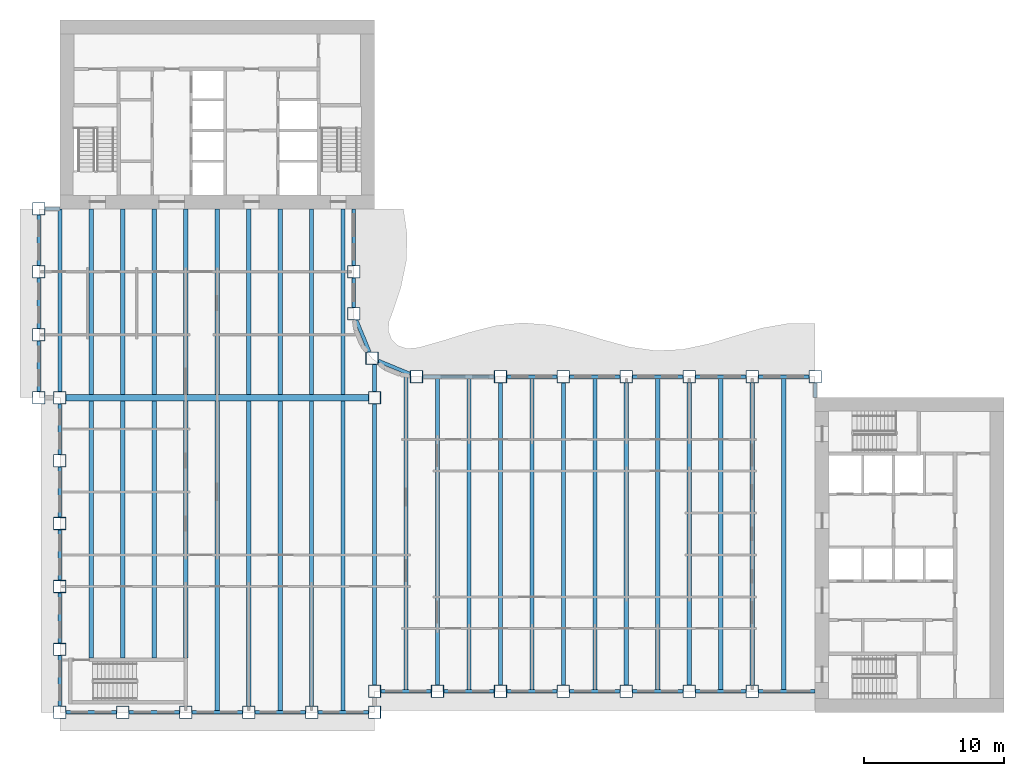
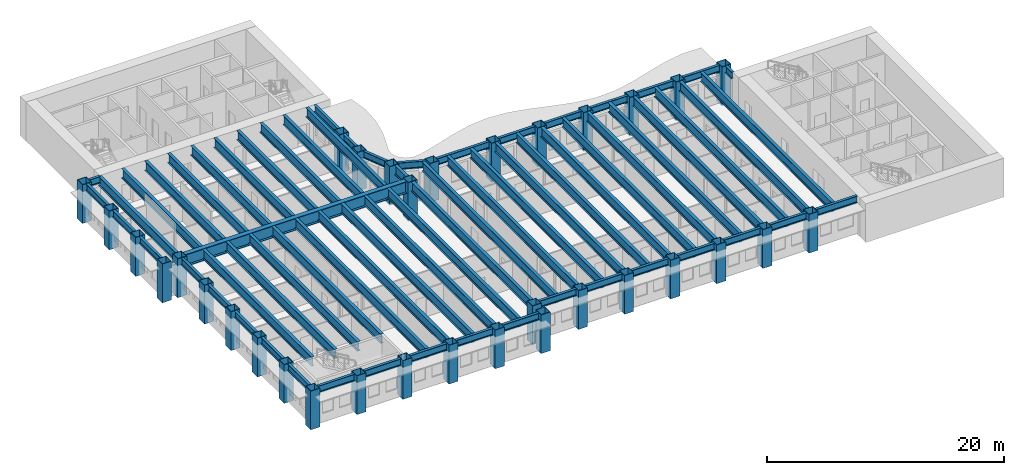
# One storey, part 1 of 16: 67 beams, 33 columns.
"""IFC4 building model written with IfcOpenShell, lengths in metres."""

from ifc_helpers import new_model, si_unit, direction, frame, origin, origin_2d, place, context, subcontext, project, spatial, hollow_rectangle, i_section, extrude, material, material_profile, profile_set, type_object, element, save


model = new_model("IFC4")

# Units and contexts
model_context = context("Model", 3, precision=1e-05, world=origin(), true_north=direction((0.0, 1.0)))
body_context = subcontext(model_context, "Body", "Model", "MODEL_VIEW")
ifc_project = project(units=[si_unit("LENGTHUNIT", "METRE"), si_unit("AREAUNIT", "SQUARE_METRE"), si_unit("VOLUMEUNIT", "CUBIC_METRE"), si_unit("PLANEANGLEUNIT", "RADIAN"), si_unit("MASSUNIT", "GRAM", prefix="KILO")], contexts=[model_context])

# Site, building, storey
site_placement = place(None, origin())
site = spatial("IfcSite", under=ifc_project, at=site_placement, CompositionType="ELEMENT")
building_placement = place(site_placement, origin())
building = spatial("IfcBuilding", under=site, at=building_placement, Name="Sennacour Bend Tower", CompositionType="ELEMENT")
storey_placement = place(building_placement, frame((0.0, 0.0, 159.0)))
storey = spatial("IfcBuildingStorey", under=building, at=storey_placement, Name="L36", CompositionType="ELEMENT", Elevation=159.0)

# Columns
ifc_material_1 = material(Name="Steel ASTM A572 Grade 50", Category="steel")
ifc_material_profile_1 = material_profile(ifc_material_1, hollow_rectangle(XDim=0.89990234375, YDim=0.89990234375, WallThickness=0.044921875, at=origin_2d()), Name="Steel ASTM A572 Grade 50", Category="steel")
ifc_profile_set_1 = profile_set([ifc_material_profile_1], Name="Steel ASTM A572 Grade 50")
column_type = type_object("IfcColumnType", Name="Box column 900", PredefinedType="COLUMN", material=ifc_profile_set_1)
for number, where, z_axis, x_axis, name in (
    (1, (-1.5, 22.5, -0.14990234375), (0.0, 0.0, 1.0), (1.0, 0.0, 0.0), "Perimeter column C3 L36-001"),
    (2, (-1.5, 27.0, -0.14990234375), (0.0, 0.0, 1.0), (1.0, 0.0, 0.0), "Perimeter column C3 L36-002"),
    (3, (-1.5, 31.5, -0.14990234375), (0.0, 0.0, 1.0), (1.0, 0.0, 0.0), "Perimeter column C3 L36-003"),
    (4, (-1.5, 36.0, -0.14990234375), (0.0, 0.0, 1.0), (1.0, 0.0, 0.0), "Perimeter column C3 L36-004"),
    (5, (0.0, 0.0, -0.14990234375), (0.0, 0.0, 1.0), (1.0, 0.0, 0.0), "Perimeter column C3 L36-005"),
    (6, (0.0, 4.5, -0.14990234375), (0.0, 0.0, 1.0), (1.0, 0.0, 0.0), "Perimeter column C3 L36-006"),
    (7, (0.0, 9.0, -0.14990234375), (0.0, 0.0, 1.0), (1.0, 0.0, 0.0), "Perimeter column C3 L36-007"),
    (8, (0.0, 13.5, -0.14990234375), (0.0, 0.0, 1.0), (1.0, 0.0, 0.0), "Perimeter column C3 L36-008"),
    (9, (0.0, 18.0, -0.14990234375), (0.0, 0.0, 1.0), (1.0, 0.0, 0.0), "Perimeter column C3 L36-009"),
    (10, (0.0, 22.5, -0.14990234375), (0.0, 0.0, 1.0), (1.0, 0.0, 0.0), "Perimeter column C3 L36-010"),
    (11, (4.5, 0.0, -0.14990234375), (0.0, 0.0, 1.0), (1.0, 0.0, 0.0), "Perimeter column C3 L36-011"),
    (12, (9.0, 0.0, -0.14990234375), (0.0, 0.0, 1.0), (1.0, 0.0, 0.0), "Perimeter column C3 L36-012"),
    (13, (13.5, 0.0, -0.14990234375), (0.0, 0.0, 1.0), (1.0, 0.0, 0.0), "Perimeter column C3 L36-013"),
    (14, (18.0, 0.0, -0.14990234375), (0.0, 0.0, 1.0), (1.0, 0.0, 0.0), "Perimeter column C3 L36-014"),
    (15, (21.0, 28.5, -0.14990234375), (0.0, 0.0, 1.0), (1.0, 0.0, 0.0), "Perimeter column C3 L36-015"),
    (16, (21.0, 31.5, -0.14990234375), (0.0, 0.0, 1.0), (1.0, 0.0, 0.0), "Perimeter column C3 L36-016"),
    (17, (22.318115234375, 25.318115234375, -0.14990234375), (0.0, 0.0, 1.0), (1.0, 0.0, 0.0), "Perimeter column C3 L36-017"),
    (18, (22.5, 0.0, -0.14990234375), (0.0, 0.0, 1.0), (1.0, 0.0, 0.0), "Perimeter column C3 L36-018"),
    (19, (22.5, 1.5, -0.14990234375), (0.0, 0.0, 1.0), (1.0, 0.0, 0.0), "Perimeter column C3 L36-019"),
    (20, (22.5, 22.5, -0.14990234375), (0.0, 0.0, 1.0), (1.0, 0.0, 0.0), "Knuckle column C3 L36-020"),
    (21, (25.5, 24.0, -0.14990234375), (0.0, 0.0, 1.0), (1.0, 0.0, 0.0), "Perimeter column C3 L36-021"),
    (22, (27.0, 1.5, -0.14990234375), (0.0, 0.0, 1.0), (1.0, 0.0, 0.0), "Perimeter column C3 L36-022"),
    (23, (31.5, 1.5, -0.14990234375), (0.0, 0.0, 1.0), (1.0, 0.0, 0.0), "Perimeter column C3 L36-023"),
    (24, (31.5, 24.0, -0.14990234375), (0.0, 0.0, 1.0), (1.0, 0.0, 0.0), "Perimeter column C3 L36-024"),
    (25, (36.0, 1.5, -0.14990234375), (0.0, 0.0, 1.0), (1.0, 0.0, 0.0), "Perimeter column C3 L36-025"),
    (26, (36.0, 24.0, -0.14990234375), (0.0, 0.0, 1.0), (1.0, 0.0, 0.0), "Perimeter column C3 L36-026"),
    (27, (40.5, 1.5, -0.14990234375), (0.0, 0.0, 1.0), (1.0, 0.0, 0.0), "Perimeter column C3 L36-027"),
    (28, (40.5, 24.0, -0.14990234375), (0.0, 0.0, 1.0), (1.0, 0.0, 0.0), "Perimeter column C3 L36-028"),
    (29, (45.0, 1.5, -0.14990234375), (0.0, 0.0, 1.0), (1.0, 0.0, 0.0), "Perimeter column C3 L36-029"),
    (30, (45.0, 24.0, -0.14990234375), (0.0, 0.0, 1.0), (1.0, 0.0, 0.0), "Perimeter column C3 L36-030"),
    (31, (49.5, 1.5, -0.14990234375), (0.0, 0.0, 1.0), (1.0, 0.0, 0.0), "Perimeter column C3 L36-031"),
    (32, (49.5, 24.0, -0.14990234375), (0.0, 0.0, 1.0), (1.0, 0.0, 0.0), "Perimeter column C3 L36-032"),
    (33, (54.0, 24.0, -0.14990234375), (0.0, 0.0, 1.0), (1.0, 0.0, 0.0), "Perimeter column C3 L36-033"),
):
    element("IfcColumn", number, at=place(storey_placement, frame(where, z_axis=z_axis, x_axis=x_axis)), inside=storey, type_object=column_type, Name=name, PredefinedType="COLUMN", context=body_context, shape_type="SweptSolid", body=[
        extrude(hollow_rectangle(XDim=0.89990234375, YDim=0.89990234375, WallThickness=0.044921875, at=origin_2d()), origin(), (0.0, 0.0, 1.0), 4.0),
    ])

# Beams
ifc_material_2 = material(Name="Steel ASTM A992 Grade 50", Category="steel")
ifc_material_profile_2 = material_profile(ifc_material_2, i_section(OverallWidth=0.300048828125, OverallDepth=0.97998046875, WebThickness=0.0166015625, FlangeThickness=0.026123046875, FilletRadius=0.02978515625, at=origin_2d()), Name="Steel ASTM A992 Grade 50", Category="steel")
ifc_profile_set_2 = profile_set([ifc_material_profile_2], Name="Steel ASTM A992 Grade 50")
beam_type_1 = type_object("IfcBeamType", Name="Floor beam W1000X249", PredefinedType="BEAM", material=ifc_profile_set_2)
beam_1_placement = place(storey_placement, frame((0.0, 22.949951171875, 3.360107421875), z_axis=(0.0, 1.0, 0.0), x_axis=(-1.0, 0.0, 0.0)))
element("IfcBeam", 34, at=beam_1_placement, inside=storey, type_object=beam_type_1, Name="Floor beam FBM2 L37-001", PredefinedType="BEAM", context=body_context, shape_type="SweptSolid", body=[
    extrude(i_section(OverallWidth=0.300048828125, OverallDepth=0.97998046875, WebThickness=0.0166015625, FlangeThickness=0.026123046875, FilletRadius=0.02978515625, at=origin_2d()), origin(), (0.0, 0.0, 1.0), 13.050048828125),
])
beam_2_placement = place(storey_placement, frame((2.25, 3.875, 3.360107421875), z_axis=(0.0, 1.0, 0.0), x_axis=(-1.0, 0.0, 0.0)))
element("IfcBeam", 35, at=beam_2_placement, inside=storey, type_object=beam_type_1, Name="Floor beam FBM2 L37-002", PredefinedType="BEAM", context=body_context, shape_type="SweptSolid", body=[
    extrude(i_section(OverallWidth=0.300048828125, OverallDepth=0.97998046875, WebThickness=0.0166015625, FlangeThickness=0.026123046875, FilletRadius=0.02978515625, at=origin_2d()), origin(), (0.0, 0.0, 1.0), 18.39990234375),
])
beam_3_placement = place(storey_placement, frame((2.25, 22.72509765625, 3.360107421875), z_axis=(0.0, 1.0, 0.0), x_axis=(-1.0, 0.0, 0.0)))
element("IfcBeam", 36, at=beam_3_placement, inside=storey, type_object=beam_type_1, Name="Floor beam FBM2 L37-003", PredefinedType="BEAM", context=body_context, shape_type="SweptSolid", body=[
    extrude(i_section(OverallWidth=0.300048828125, OverallDepth=0.97998046875, WebThickness=0.0166015625, FlangeThickness=0.026123046875, FilletRadius=0.02978515625, at=origin_2d()), origin(), (0.0, 0.0, 1.0), 13.27490234375),
])
beam_4_placement = place(storey_placement, frame((4.5, 3.875, 3.360107421875), z_axis=(0.0, 1.0, 0.0), x_axis=(-1.0, 0.0, 0.0)))
element("IfcBeam", 37, at=beam_4_placement, inside=storey, type_object=beam_type_1, Name="Floor beam FBM2 L37-004", PredefinedType="BEAM", context=body_context, shape_type="SweptSolid", body=[
    extrude(i_section(OverallWidth=0.300048828125, OverallDepth=0.97998046875, WebThickness=0.0166015625, FlangeThickness=0.026123046875, FilletRadius=0.02978515625, at=origin_2d()), origin(), (0.0, 0.0, 1.0), 18.39990234375),
])
beam_5_placement = place(storey_placement, frame((4.5, 22.72509765625, 3.360107421875), z_axis=(0.0, 1.0, 0.0), x_axis=(-1.0, 0.0, 0.0)))
element("IfcBeam", 38, at=beam_5_placement, inside=storey, type_object=beam_type_1, Name="Floor beam FBM2 L37-005", PredefinedType="BEAM", context=body_context, shape_type="SweptSolid", body=[
    extrude(i_section(OverallWidth=0.300048828125, OverallDepth=0.97998046875, WebThickness=0.0166015625, FlangeThickness=0.026123046875, FilletRadius=0.02978515625, at=origin_2d()), origin(), (0.0, 0.0, 1.0), 13.27490234375),
])
beam_6_placement = place(storey_placement, frame((6.75, 3.875, 3.360107421875), z_axis=(0.0, 1.0, 0.0), x_axis=(-1.0, 0.0, 0.0)))
element("IfcBeam", 39, at=beam_6_placement, inside=storey, type_object=beam_type_1, Name="Floor beam FBM2 L37-006", PredefinedType="BEAM", context=body_context, shape_type="SweptSolid", body=[
    extrude(i_section(OverallWidth=0.300048828125, OverallDepth=0.97998046875, WebThickness=0.0166015625, FlangeThickness=0.026123046875, FilletRadius=0.02978515625, at=origin_2d()), origin(), (0.0, 0.0, 1.0), 18.39990234375),
])
beam_7_placement = place(storey_placement, frame((6.75, 22.72509765625, 3.360107421875), z_axis=(0.0, 1.0, 0.0), x_axis=(-1.0, 0.0, 0.0)))
element("IfcBeam", 40, at=beam_7_placement, inside=storey, type_object=beam_type_1, Name="Floor beam FBM2 L37-007", PredefinedType="BEAM", context=body_context, shape_type="SweptSolid", body=[
    extrude(i_section(OverallWidth=0.300048828125, OverallDepth=0.97998046875, WebThickness=0.0166015625, FlangeThickness=0.026123046875, FilletRadius=0.02978515625, at=origin_2d()), origin(), (0.0, 0.0, 1.0), 13.27490234375),
])
beam_8_placement = place(storey_placement, frame((9.0, 3.875, 3.360107421875), z_axis=(0.0, 1.0, 0.0), x_axis=(-1.0, 0.0, 0.0)))
element("IfcBeam", 41, at=beam_8_placement, inside=storey, type_object=beam_type_1, Name="Floor beam FBM2 L37-008", PredefinedType="BEAM", context=body_context, shape_type="SweptSolid", body=[
    extrude(i_section(OverallWidth=0.300048828125, OverallDepth=0.97998046875, WebThickness=0.0166015625, FlangeThickness=0.026123046875, FilletRadius=0.02978515625, at=origin_2d()), origin(), (0.0, 0.0, 1.0), 18.39990234375),
])
beam_9_placement = place(storey_placement, frame((9.0, 22.72509765625, 3.360107421875), z_axis=(0.0, 1.0, 0.0), x_axis=(-1.0, 0.0, 0.0)))
element("IfcBeam", 42, at=beam_9_placement, inside=storey, type_object=beam_type_1, Name="Floor beam FBM2 L37-009", PredefinedType="BEAM", context=body_context, shape_type="SweptSolid", body=[
    extrude(i_section(OverallWidth=0.300048828125, OverallDepth=0.97998046875, WebThickness=0.0166015625, FlangeThickness=0.026123046875, FilletRadius=0.02978515625, at=origin_2d()), origin(), (0.0, 0.0, 1.0), 13.27490234375),
])
beam_10_placement = place(storey_placement, frame((11.25, 0.126953125, 3.360107421875), z_axis=(0.0, 1.0, 0.0), x_axis=(-1.0, 0.0, 0.0)))
element("IfcBeam", 43, at=beam_10_placement, inside=storey, type_object=beam_type_1, Name="Floor beam FBM2 L37-010", PredefinedType="BEAM", context=body_context, shape_type="SweptSolid", body=[
    extrude(i_section(OverallWidth=0.300048828125, OverallDepth=0.97998046875, WebThickness=0.0166015625, FlangeThickness=0.026123046875, FilletRadius=0.02978515625, at=origin_2d()), origin(), (0.0, 0.0, 1.0), 22.14794921875),
])
beam_11_placement = place(storey_placement, frame((11.25, 22.72509765625, 3.360107421875), z_axis=(0.0, 1.0, 0.0), x_axis=(-1.0, 0.0, 0.0)))
element("IfcBeam", 44, at=beam_11_placement, inside=storey, type_object=beam_type_1, Name="Floor beam FBM2 L37-011", PredefinedType="BEAM", context=body_context, shape_type="SweptSolid", body=[
    extrude(i_section(OverallWidth=0.300048828125, OverallDepth=0.97998046875, WebThickness=0.0166015625, FlangeThickness=0.026123046875, FilletRadius=0.02978515625, at=origin_2d()), origin(), (0.0, 0.0, 1.0), 13.27490234375),
])
beam_12_placement = place(storey_placement, frame((13.5, 0.449951171875, 3.360107421875), z_axis=(0.0, 1.0, 0.0), x_axis=(-1.0, 0.0, 0.0)))
element("IfcBeam", 45, at=beam_12_placement, inside=storey, type_object=beam_type_1, Name="Floor beam FBM2 L37-012", PredefinedType="BEAM", context=body_context, shape_type="SweptSolid", body=[
    extrude(i_section(OverallWidth=0.300048828125, OverallDepth=0.97998046875, WebThickness=0.0166015625, FlangeThickness=0.026123046875, FilletRadius=0.02978515625, at=origin_2d()), origin(), (0.0, 0.0, 1.0), 21.824951171875),
])
beam_13_placement = place(storey_placement, frame((13.5, 22.72509765625, 3.360107421875), z_axis=(0.0, 1.0, 0.0), x_axis=(-1.0, 0.0, 0.0)))
element("IfcBeam", 46, at=beam_13_placement, inside=storey, type_object=beam_type_1, Name="Floor beam FBM2 L37-013", PredefinedType="BEAM", context=body_context, shape_type="SweptSolid", body=[
    extrude(i_section(OverallWidth=0.300048828125, OverallDepth=0.97998046875, WebThickness=0.0166015625, FlangeThickness=0.026123046875, FilletRadius=0.02978515625, at=origin_2d()), origin(), (0.0, 0.0, 1.0), 13.27490234375),
])
beam_14_placement = place(storey_placement, frame((15.75, 0.126953125, 3.360107421875), z_axis=(0.0, 1.0, 0.0), x_axis=(-1.0, 0.0, 0.0)))
element("IfcBeam", 47, at=beam_14_placement, inside=storey, type_object=beam_type_1, Name="Floor beam FBM2 L37-014", PredefinedType="BEAM", context=body_context, shape_type="SweptSolid", body=[
    extrude(i_section(OverallWidth=0.300048828125, OverallDepth=0.97998046875, WebThickness=0.0166015625, FlangeThickness=0.026123046875, FilletRadius=0.02978515625, at=origin_2d()), origin(), (0.0, 0.0, 1.0), 22.14794921875),
])
beam_15_placement = place(storey_placement, frame((15.75, 22.72509765625, 3.360107421875), z_axis=(0.0, 1.0, 0.0), x_axis=(-1.0, 0.0, 0.0)))
element("IfcBeam", 48, at=beam_15_placement, inside=storey, type_object=beam_type_1, Name="Floor beam FBM2 L37-015", PredefinedType="BEAM", context=body_context, shape_type="SweptSolid", body=[
    extrude(i_section(OverallWidth=0.300048828125, OverallDepth=0.97998046875, WebThickness=0.0166015625, FlangeThickness=0.026123046875, FilletRadius=0.02978515625, at=origin_2d()), origin(), (0.0, 0.0, 1.0), 13.27490234375),
])
beam_16_placement = place(storey_placement, frame((18.0, 0.449951171875, 3.360107421875), z_axis=(0.0, 1.0, 0.0), x_axis=(-1.0, 0.0, 0.0)))
element("IfcBeam", 49, at=beam_16_placement, inside=storey, type_object=beam_type_1, Name="Floor beam FBM2 L37-016", PredefinedType="BEAM", context=body_context, shape_type="SweptSolid", body=[
    extrude(i_section(OverallWidth=0.300048828125, OverallDepth=0.97998046875, WebThickness=0.0166015625, FlangeThickness=0.026123046875, FilletRadius=0.02978515625, at=origin_2d()), origin(), (0.0, 0.0, 1.0), 21.824951171875),
])
beam_17_placement = place(storey_placement, frame((18.0, 22.72509765625, 3.360107421875), z_axis=(0.0, 1.0, 0.0), x_axis=(-1.0, 0.0, 0.0)))
element("IfcBeam", 50, at=beam_17_placement, inside=storey, type_object=beam_type_1, Name="Floor beam FBM2 L37-017", PredefinedType="BEAM", context=body_context, shape_type="SweptSolid", body=[
    extrude(i_section(OverallWidth=0.300048828125, OverallDepth=0.97998046875, WebThickness=0.0166015625, FlangeThickness=0.026123046875, FilletRadius=0.02978515625, at=origin_2d()), origin(), (0.0, 0.0, 1.0), 13.27490234375),
])
beam_18_placement = place(storey_placement, frame((20.25, 0.126953125, 3.360107421875), z_axis=(0.0, 1.0, 0.0), x_axis=(-1.0, 0.0, 0.0)))
element("IfcBeam", 51, at=beam_18_placement, inside=storey, type_object=beam_type_1, Name="Floor beam FBM2 L37-018", PredefinedType="BEAM", context=body_context, shape_type="SweptSolid", body=[
    extrude(i_section(OverallWidth=0.300048828125, OverallDepth=0.97998046875, WebThickness=0.0166015625, FlangeThickness=0.026123046875, FilletRadius=0.02978515625, at=origin_2d()), origin(), (0.0, 0.0, 1.0), 22.14794921875),
])
beam_19_placement = place(storey_placement, frame((20.25, 22.72509765625, 3.360107421875), z_axis=(0.0, 1.0, 0.0), x_axis=(-1.0, 0.0, 0.0)))
element("IfcBeam", 52, at=beam_19_placement, inside=storey, type_object=beam_type_1, Name="Floor beam FBM2 L37-019", PredefinedType="BEAM", context=body_context, shape_type="SweptSolid", body=[
    extrude(i_section(OverallWidth=0.300048828125, OverallDepth=0.97998046875, WebThickness=0.0166015625, FlangeThickness=0.026123046875, FilletRadius=0.02978515625, at=origin_2d()), origin(), (0.0, 0.0, 1.0), 13.27490234375),
])
beam_20_placement = place(storey_placement, frame((22.5, 1.949951171875, 3.360107421875), z_axis=(0.0, 1.0, 0.0), x_axis=(-1.0, 0.0, 0.0)))
element("IfcBeam", 53, at=beam_20_placement, inside=storey, type_object=beam_type_1, Name="Floor beam FBM2 L37-020", PredefinedType="BEAM", context=body_context, shape_type="SweptSolid", body=[
    extrude(i_section(OverallWidth=0.300048828125, OverallDepth=0.97998046875, WebThickness=0.0166015625, FlangeThickness=0.026123046875, FilletRadius=0.02978515625, at=origin_2d()), origin(), (0.0, 0.0, 1.0), 20.10009765625),
])
beam_21_placement = place(storey_placement, frame((22.5, 22.949951171875, 3.360107421875), z_axis=(0.0, 1.0, 0.0), x_axis=(-1.0, 0.0, 0.0)))
element("IfcBeam", 54, at=beam_21_placement, inside=storey, type_object=beam_type_1, Name="Floor beam FBM2 L37-021", PredefinedType="BEAM", context=body_context, shape_type="SweptSolid", body=[
    extrude(i_section(OverallWidth=0.300048828125, OverallDepth=0.97998046875, WebThickness=0.0166015625, FlangeThickness=0.026123046875, FilletRadius=0.02978515625, at=origin_2d()), origin(), (0.0, 0.0, 1.0), 1.91796875),
])
beam_22_placement = place(storey_placement, frame((24.75, 1.626953125, 3.360107421875), z_axis=(0.0, 1.0, 0.0), x_axis=(-1.0, 0.0, 0.0)))
element("IfcBeam", 55, at=beam_22_placement, inside=storey, type_object=beam_type_1, Name="Floor beam FBM2 L37-022", PredefinedType="BEAM", context=body_context, shape_type="SweptSolid", body=[
    extrude(i_section(OverallWidth=0.300048828125, OverallDepth=0.97998046875, WebThickness=0.0166015625, FlangeThickness=0.026123046875, FilletRadius=0.02978515625, at=origin_2d()), origin(), (0.0, 0.0, 1.0), 22.546142578125),
])
beam_23_placement = place(storey_placement, frame((27.0, 1.949951171875, 3.360107421875), z_axis=(0.0, 1.0, 0.0), x_axis=(-1.0, 0.0, 0.0)))
element("IfcBeam", 56, at=beam_23_placement, inside=storey, type_object=beam_type_1, Name="Floor beam FBM2 L37-023", PredefinedType="BEAM", context=body_context, shape_type="SweptSolid", body=[
    extrude(i_section(OverallWidth=0.300048828125, OverallDepth=0.97998046875, WebThickness=0.0166015625, FlangeThickness=0.026123046875, FilletRadius=0.02978515625, at=origin_2d()), origin(), (0.0, 0.0, 1.0), 21.923095703125),
])
beam_24_placement = place(storey_placement, frame((29.25, 1.626953125, 3.360107421875), z_axis=(0.0, 1.0, 0.0), x_axis=(-1.0, 0.0, 0.0)))
element("IfcBeam", 57, at=beam_24_placement, inside=storey, type_object=beam_type_1, Name="Floor beam FBM2 L37-024", PredefinedType="BEAM", context=body_context, shape_type="SweptSolid", body=[
    extrude(i_section(OverallWidth=0.300048828125, OverallDepth=0.97998046875, WebThickness=0.0166015625, FlangeThickness=0.026123046875, FilletRadius=0.02978515625, at=origin_2d()), origin(), (0.0, 0.0, 1.0), 22.24609375),
])
beam_25_placement = place(storey_placement, frame((31.5, 1.949951171875, 3.360107421875), z_axis=(0.0, 1.0, 0.0), x_axis=(-1.0, 0.0, 0.0)))
element("IfcBeam", 58, at=beam_25_placement, inside=storey, type_object=beam_type_1, Name="Floor beam FBM2 L37-025", PredefinedType="BEAM", context=body_context, shape_type="SweptSolid", body=[
    extrude(i_section(OverallWidth=0.300048828125, OverallDepth=0.97998046875, WebThickness=0.0166015625, FlangeThickness=0.026123046875, FilletRadius=0.02978515625, at=origin_2d()), origin(), (0.0, 0.0, 1.0), 21.60009765625),
])
beam_26_placement = place(storey_placement, frame((33.75, 1.626953125, 3.360107421875), z_axis=(0.0, 1.0, 0.0), x_axis=(-1.0, 0.0, 0.0)))
element("IfcBeam", 59, at=beam_26_placement, inside=storey, type_object=beam_type_1, Name="Floor beam FBM2 L37-026", PredefinedType="BEAM", context=body_context, shape_type="SweptSolid", body=[
    extrude(i_section(OverallWidth=0.300048828125, OverallDepth=0.97998046875, WebThickness=0.0166015625, FlangeThickness=0.026123046875, FilletRadius=0.02978515625, at=origin_2d()), origin(), (0.0, 0.0, 1.0), 22.24609375),
])
beam_27_placement = place(storey_placement, frame((36.0, 1.949951171875, 3.360107421875), z_axis=(0.0, 1.0, 0.0), x_axis=(-1.0, 0.0, 0.0)))
element("IfcBeam", 60, at=beam_27_placement, inside=storey, type_object=beam_type_1, Name="Floor beam FBM2 L37-027", PredefinedType="BEAM", context=body_context, shape_type="SweptSolid", body=[
    extrude(i_section(OverallWidth=0.300048828125, OverallDepth=0.97998046875, WebThickness=0.0166015625, FlangeThickness=0.026123046875, FilletRadius=0.02978515625, at=origin_2d()), origin(), (0.0, 0.0, 1.0), 21.60009765625),
])
beam_28_placement = place(storey_placement, frame((38.25, 1.626953125, 3.360107421875), z_axis=(0.0, 1.0, 0.0), x_axis=(-1.0, 0.0, 0.0)))
element("IfcBeam", 61, at=beam_28_placement, inside=storey, type_object=beam_type_1, Name="Floor beam FBM2 L37-028", PredefinedType="BEAM", context=body_context, shape_type="SweptSolid", body=[
    extrude(i_section(OverallWidth=0.300048828125, OverallDepth=0.97998046875, WebThickness=0.0166015625, FlangeThickness=0.026123046875, FilletRadius=0.02978515625, at=origin_2d()), origin(), (0.0, 0.0, 1.0), 22.24609375),
])
beam_29_placement = place(storey_placement, frame((40.5, 1.949951171875, 3.360107421875), z_axis=(0.0, 1.0, 0.0), x_axis=(-1.0, 0.0, 0.0)))
element("IfcBeam", 62, at=beam_29_placement, inside=storey, type_object=beam_type_1, Name="Floor beam FBM2 L37-029", PredefinedType="BEAM", context=body_context, shape_type="SweptSolid", body=[
    extrude(i_section(OverallWidth=0.300048828125, OverallDepth=0.97998046875, WebThickness=0.0166015625, FlangeThickness=0.026123046875, FilletRadius=0.02978515625, at=origin_2d()), origin(), (0.0, 0.0, 1.0), 21.60009765625),
])
beam_30_placement = place(storey_placement, frame((42.75, 1.626953125, 3.360107421875), z_axis=(0.0, 1.0, 0.0), x_axis=(-1.0, 0.0, 0.0)))
element("IfcBeam", 63, at=beam_30_placement, inside=storey, type_object=beam_type_1, Name="Floor beam FBM2 L37-030", PredefinedType="BEAM", context=body_context, shape_type="SweptSolid", body=[
    extrude(i_section(OverallWidth=0.300048828125, OverallDepth=0.97998046875, WebThickness=0.0166015625, FlangeThickness=0.026123046875, FilletRadius=0.02978515625, at=origin_2d()), origin(), (0.0, 0.0, 1.0), 22.24609375),
])
beam_31_placement = place(storey_placement, frame((45.0, 1.949951171875, 3.360107421875), z_axis=(0.0, 1.0, 0.0), x_axis=(-1.0, 0.0, 0.0)))
element("IfcBeam", 64, at=beam_31_placement, inside=storey, type_object=beam_type_1, Name="Floor beam FBM2 L37-031", PredefinedType="BEAM", context=body_context, shape_type="SweptSolid", body=[
    extrude(i_section(OverallWidth=0.300048828125, OverallDepth=0.97998046875, WebThickness=0.0166015625, FlangeThickness=0.026123046875, FilletRadius=0.02978515625, at=origin_2d()), origin(), (0.0, 0.0, 1.0), 21.60009765625),
])
beam_32_placement = place(storey_placement, frame((47.25, 1.626953125, 3.360107421875), z_axis=(0.0, 1.0, 0.0), x_axis=(-1.0, 0.0, 0.0)))
element("IfcBeam", 65, at=beam_32_placement, inside=storey, type_object=beam_type_1, Name="Floor beam FBM2 L37-032", PredefinedType="BEAM", context=body_context, shape_type="SweptSolid", body=[
    extrude(i_section(OverallWidth=0.300048828125, OverallDepth=0.97998046875, WebThickness=0.0166015625, FlangeThickness=0.026123046875, FilletRadius=0.02978515625, at=origin_2d()), origin(), (0.0, 0.0, 1.0), 22.24609375),
])
beam_33_placement = place(storey_placement, frame((49.5, 1.949951171875, 3.360107421875), z_axis=(0.0, 1.0, 0.0), x_axis=(-1.0, 0.0, 0.0)))
element("IfcBeam", 66, at=beam_33_placement, inside=storey, type_object=beam_type_1, Name="Floor beam FBM2 L37-033", PredefinedType="BEAM", context=body_context, shape_type="SweptSolid", body=[
    extrude(i_section(OverallWidth=0.300048828125, OverallDepth=0.97998046875, WebThickness=0.0166015625, FlangeThickness=0.026123046875, FilletRadius=0.02978515625, at=origin_2d()), origin(), (0.0, 0.0, 1.0), 21.60009765625),
])
beam_34_placement = place(storey_placement, frame((51.75, 1.626953125, 3.360107421875), z_axis=(0.0, 1.0, 0.0), x_axis=(-1.0, 0.0, 0.0)))
element("IfcBeam", 67, at=beam_34_placement, inside=storey, type_object=beam_type_1, Name="Floor beam FBM2 L37-034", PredefinedType="BEAM", context=body_context, shape_type="SweptSolid", body=[
    extrude(i_section(OverallWidth=0.300048828125, OverallDepth=0.97998046875, WebThickness=0.0166015625, FlangeThickness=0.026123046875, FilletRadius=0.02978515625, at=origin_2d()), origin(), (0.0, 0.0, 1.0), 22.24609375),
])
ifc_material_profile_3 = material_profile(ifc_material_1, i_section(OverallWidth=0.449951171875, OverallDepth=1.25, WebThickness=0.028076171875, FlangeThickness=0.050048828125, at=origin_2d()), Name="Steel ASTM A572 Grade 50", Category="steel")
ifc_profile_set_3 = profile_set([ifc_material_profile_3], Name="Steel ASTM A572 Grade 50")
beam_type_2 = type_object("IfcBeamType", Name="Knuckle girder 1250", PredefinedType="USERDEFINED", material=ifc_profile_set_3)
beam_35_placement = place(storey_placement, frame((0.449951171875, 22.5, 3.22509765625), z_axis=(1.0, 0.0, 0.0), x_axis=(0.0, 1.0, 0.0)))
element("IfcBeam", 68, at=beam_35_placement, inside=storey, type_object=beam_type_2, Name="Knuckle girder GK L37-001", ObjectType="KNUCKLE GIRDER", PredefinedType="USERDEFINED", context=body_context, shape_type="SweptSolid", body=[
    extrude(i_section(OverallWidth=0.449951171875, OverallDepth=1.25, WebThickness=0.028076171875, FlangeThickness=0.050048828125, at=origin_2d()), origin(), (0.0, 0.0, 1.0), 21.60009765625),
])
ifc_material_profile_4 = material_profile(ifc_material_2, i_section(OverallWidth=0.25390625, OverallDepth=0.700927734375, WebThickness=0.015380859375, FlangeThickness=0.02783203125, FilletRadius=0.015380859375, at=origin_2d()), Name="Steel ASTM A992 Grade 50", Category="steel")
ifc_profile_set_4 = profile_set([ifc_material_profile_4], Name="Steel ASTM A992 Grade 50")
beam_type_3 = type_object("IfcBeamType", Name="Spandrel beam W690X192", PredefinedType="SPANDREL", material=ifc_profile_set_4)
for number, where, z_axis, x_axis, name in (
    (69, (0.0, 0.449951171875, 3.49951171875), (0.0, 1.0, 0.0), (-1.0, 0.0, 0.0), "Spandrel beam SP4 L37-001"),
    (70, (0.0, 4.949951171875, 3.49951171875), (0.0, 1.0, 0.0), (-1.0, 0.0, 0.0), "Spandrel beam SP4 L37-002"),
    (71, (0.0, 9.449951171875, 3.49951171875), (0.0, 1.0, 0.0), (-1.0, 0.0, 0.0), "Spandrel beam SP4 L37-003"),
    (72, (0.0, 13.949951171875, 3.49951171875), (0.0, 1.0, 0.0), (-1.0, 0.0, 0.0), "Spandrel beam SP4 L37-004"),
    (73, (0.0, 18.449951171875, 3.49951171875), (0.0, 1.0, 0.0), (-1.0, 0.0, 0.0), "Spandrel beam SP4 L37-005"),
    (74, (-1.5, 22.949951171875, 3.49951171875), (0.0, 1.0, 0.0), (-1.0, 0.0, 0.0), "Spandrel beam SP4 L37-006"),
    (75, (-1.5, 27.449951171875, 3.49951171875), (0.0, 1.0, 0.0), (-1.0, 0.0, 0.0), "Spandrel beam SP4 L37-007"),
    (76, (-1.5, 31.949951171875, 3.49951171875), (0.0, 1.0, 0.0), (-1.0, 0.0, 0.0), "Spandrel beam SP4 L37-008"),
):
    element("IfcBeam", number, at=place(storey_placement, frame(where, z_axis=z_axis, x_axis=x_axis)), inside=storey, type_object=beam_type_3, Name=name, PredefinedType="SPANDREL", context=body_context, shape_type="SweptSolid", body=[
        extrude(i_section(OverallWidth=0.25390625, OverallDepth=0.700927734375, WebThickness=0.015380859375, FlangeThickness=0.02783203125, FilletRadius=0.015380859375, at=origin_2d()), origin(), (0.0, 0.0, 1.0), 3.60009765625),
    ])
beam_36_placement = place(storey_placement, frame((-1.050048828125, 36.0, 3.49951171875), z_axis=(1.0, 0.0, 0.0), x_axis=(0.0, 1.0, 0.0)))
element("IfcBeam", 77, at=beam_36_placement, inside=storey, type_object=beam_type_3, Name="Spandrel beam SP4 L37-009", PredefinedType="SPANDREL", context=body_context, shape_type="SweptSolid", body=[
    extrude(i_section(OverallWidth=0.25390625, OverallDepth=0.700927734375, WebThickness=0.015380859375, FlangeThickness=0.02783203125, FilletRadius=0.015380859375, at=origin_2d()), origin(), (0.0, 0.0, 1.0), 1.050048828125),
])
beam_37_placement = place(storey_placement, frame((21.0, 36.0, 3.49951171875), z_axis=(0.0, -1.0, 0.0), x_axis=(1.0, 0.0, 0.0)))
element("IfcBeam", 78, at=beam_37_placement, inside=storey, type_object=beam_type_3, Name="Spandrel beam SP4 L37-010", PredefinedType="SPANDREL", context=body_context, shape_type="SweptSolid", body=[
    extrude(i_section(OverallWidth=0.25390625, OverallDepth=0.700927734375, WebThickness=0.015380859375, FlangeThickness=0.02783203125, FilletRadius=0.015380859375, at=origin_2d()), origin(), (0.0, 0.0, 1.0), 4.050048828125),
])
beam_38_placement = place(storey_placement, frame((21.0, 31.050048828125, 3.49951171875), z_axis=(0.0, -1.0, 0.0), x_axis=(1.0, 0.0, 0.0)))
element("IfcBeam", 79, at=beam_38_placement, inside=storey, type_object=beam_type_3, Name="Spandrel beam SP4 L37-011", PredefinedType="SPANDREL", context=body_context, shape_type="SweptSolid", body=[
    extrude(i_section(OverallWidth=0.25390625, OverallDepth=0.700927734375, WebThickness=0.015380859375, FlangeThickness=0.02783203125, FilletRadius=0.015380859375, at=origin_2d()), origin(), (0.0, 0.0, 1.0), 2.10009765625),
])
for number, where, z_axis, x_axis, name in (
    (80, (21.186279296875, 28.050048828125, 3.49951171875), (0.382712608723, -0.923867446728, 0.0), (0.923867446728, 0.382712608723, 0.0), "Spandrel beam SP4 L37-012"),
    (81, (22.76806640625, 25.131591796875, 3.49951171875), (0.923867446728, -0.382712608723, 0.0), (0.382712608723, 0.923867446728, 0.0), "Spandrel beam SP4 L37-013"),
):
    element("IfcBeam", number, at=place(storey_placement, frame(where, z_axis=z_axis, x_axis=x_axis)), inside=storey, type_object=beam_type_3, Name=name, PredefinedType="SPANDREL", context=body_context, shape_type="SweptSolid", body=[
        extrude(i_section(OverallWidth=0.25390625, OverallDepth=0.700927734375, WebThickness=0.015380859375, FlangeThickness=0.02783203125, FilletRadius=0.015380859375, at=origin_2d()), origin(), (0.0, 0.0, 1.0), 2.469970703125),
    ])
beam_39_placement = place(storey_placement, frame((25.949951171875, 24.0, 3.49951171875), z_axis=(1.0, 0.0, 0.0), x_axis=(0.0, 1.0, 0.0)))
element("IfcBeam", 82, at=beam_39_placement, inside=storey, type_object=beam_type_3, Name="Spandrel beam SP4 L37-014", PredefinedType="SPANDREL", context=body_context, shape_type="SweptSolid", body=[
    extrude(i_section(OverallWidth=0.25390625, OverallDepth=0.700927734375, WebThickness=0.015380859375, FlangeThickness=0.02783203125, FilletRadius=0.015380859375, at=origin_2d()), origin(), (0.0, 0.0, 1.0), 5.10009765625),
])
for number, where, z_axis, x_axis, name in (
    (83, (31.949951171875, 24.0, 3.49951171875), (1.0, 0.0, 0.0), (0.0, 1.0, 0.0), "Spandrel beam SP4 L37-015"),
    (84, (36.449951171875, 24.0, 3.49951171875), (1.0, 0.0, 0.0), (0.0, 1.0, 0.0), "Spandrel beam SP4 L37-016"),
    (85, (40.949951171875, 24.0, 3.49951171875), (1.0, 0.0, 0.0), (0.0, 1.0, 0.0), "Spandrel beam SP4 L37-017"),
    (86, (45.449951171875, 24.0, 3.49951171875), (1.0, 0.0, 0.0), (0.0, 1.0, 0.0), "Spandrel beam SP4 L37-018"),
    (87, (49.949951171875, 24.0, 3.49951171875), (1.0, 0.0, 0.0), (0.0, 1.0, 0.0), "Spandrel beam SP4 L37-019"),
):
    element("IfcBeam", number, at=place(storey_placement, frame(where, z_axis=z_axis, x_axis=x_axis)), inside=storey, type_object=beam_type_3, Name=name, PredefinedType="SPANDREL", context=body_context, shape_type="SweptSolid", body=[
        extrude(i_section(OverallWidth=0.25390625, OverallDepth=0.700927734375, WebThickness=0.015380859375, FlangeThickness=0.02783203125, FilletRadius=0.015380859375, at=origin_2d()), origin(), (0.0, 0.0, 1.0), 3.60009765625),
    ])
beam_40_placement = place(storey_placement, frame((54.0, 23.550048828125, 3.49951171875), z_axis=(0.0, -1.0, 0.0), x_axis=(1.0, 0.0, 0.0)))
element("IfcBeam", 88, at=beam_40_placement, inside=storey, type_object=beam_type_3, Name="Spandrel beam SP4 L37-020", PredefinedType="SPANDREL", context=body_context, shape_type="SweptSolid", body=[
    extrude(i_section(OverallWidth=0.25390625, OverallDepth=0.700927734375, WebThickness=0.015380859375, FlangeThickness=0.02783203125, FilletRadius=0.015380859375, at=origin_2d()), origin(), (0.0, 0.0, 1.0), 1.050048828125),
])
beam_41_placement = place(storey_placement, frame((54.0, 1.5, 3.49951171875), z_axis=(-1.0, 0.0, 0.0), x_axis=(0.0, -1.0, 0.0)))
element("IfcBeam", 89, at=beam_41_placement, inside=storey, type_object=beam_type_3, Name="Spandrel beam SP4 L37-021", PredefinedType="SPANDREL", context=body_context, shape_type="SweptSolid", body=[
    extrude(i_section(OverallWidth=0.25390625, OverallDepth=0.700927734375, WebThickness=0.015380859375, FlangeThickness=0.02783203125, FilletRadius=0.015380859375, at=origin_2d()), origin(), (0.0, 0.0, 1.0), 4.050048828125),
])
for number, where, z_axis, x_axis, name in (
    (90, (49.050048828125, 1.5, 3.49951171875), (-1.0, 0.0, 0.0), (0.0, -1.0, 0.0), "Spandrel beam SP4 L37-022"),
    (91, (44.550048828125, 1.5, 3.49951171875), (-1.0, 0.0, 0.0), (0.0, -1.0, 0.0), "Spandrel beam SP4 L37-023"),
    (92, (40.050048828125, 1.5, 3.49951171875), (-1.0, 0.0, 0.0), (0.0, -1.0, 0.0), "Spandrel beam SP4 L37-024"),
    (93, (35.550048828125, 1.5, 3.49951171875), (-1.0, 0.0, 0.0), (0.0, -1.0, 0.0), "Spandrel beam SP4 L37-025"),
    (94, (31.050048828125, 1.5, 3.49951171875), (-1.0, 0.0, 0.0), (0.0, -1.0, 0.0), "Spandrel beam SP4 L37-026"),
    (95, (26.550048828125, 1.5, 3.49951171875), (-1.0, 0.0, 0.0), (0.0, -1.0, 0.0), "Spandrel beam SP4 L37-027"),
    (96, (22.050048828125, 0.0, 3.49951171875), (-1.0, 0.0, 0.0), (0.0, -1.0, 0.0), "Spandrel beam SP4 L37-028"),
    (97, (17.550048828125, 0.0, 3.49951171875), (-1.0, 0.0, 0.0), (0.0, -1.0, 0.0), "Spandrel beam SP4 L37-029"),
    (98, (13.050048828125, 0.0, 3.49951171875), (-1.0, 0.0, 0.0), (0.0, -1.0, 0.0), "Spandrel beam SP4 L37-030"),
    (99, (8.550048828125, 0.0, 3.49951171875), (-1.0, 0.0, 0.0), (0.0, -1.0, 0.0), "Spandrel beam SP4 L37-031"),
    (100, (4.050048828125, 0.0, 3.49951171875), (-1.0, 0.0, 0.0), (0.0, -1.0, 0.0), "Spandrel beam SP4 L37-032"),
):
    element("IfcBeam", number, at=place(storey_placement, frame(where, z_axis=z_axis, x_axis=x_axis)), inside=storey, type_object=beam_type_3, Name=name, PredefinedType="SPANDREL", context=body_context, shape_type="SweptSolid", body=[
        extrude(i_section(OverallWidth=0.25390625, OverallDepth=0.700927734375, WebThickness=0.015380859375, FlangeThickness=0.02783203125, FilletRadius=0.015380859375, at=origin_2d()), origin(), (0.0, 0.0, 1.0), 3.60009765625),
    ])

save(model, "model.ifc")
